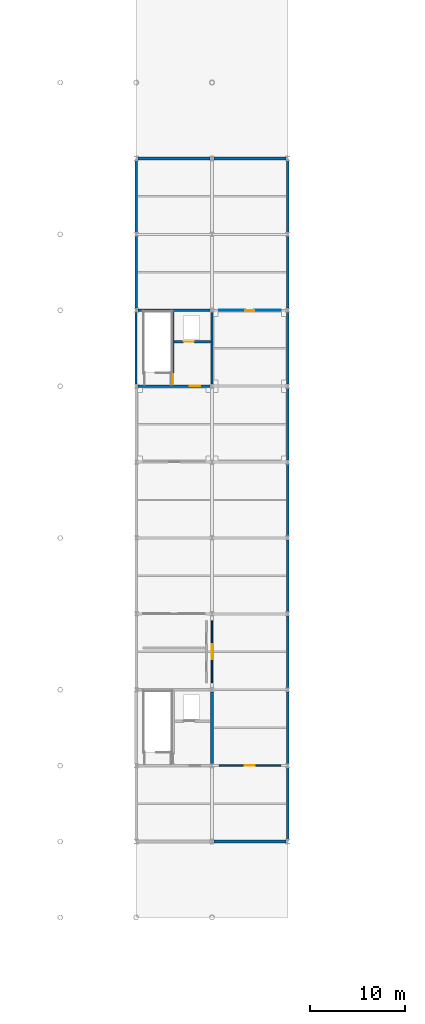
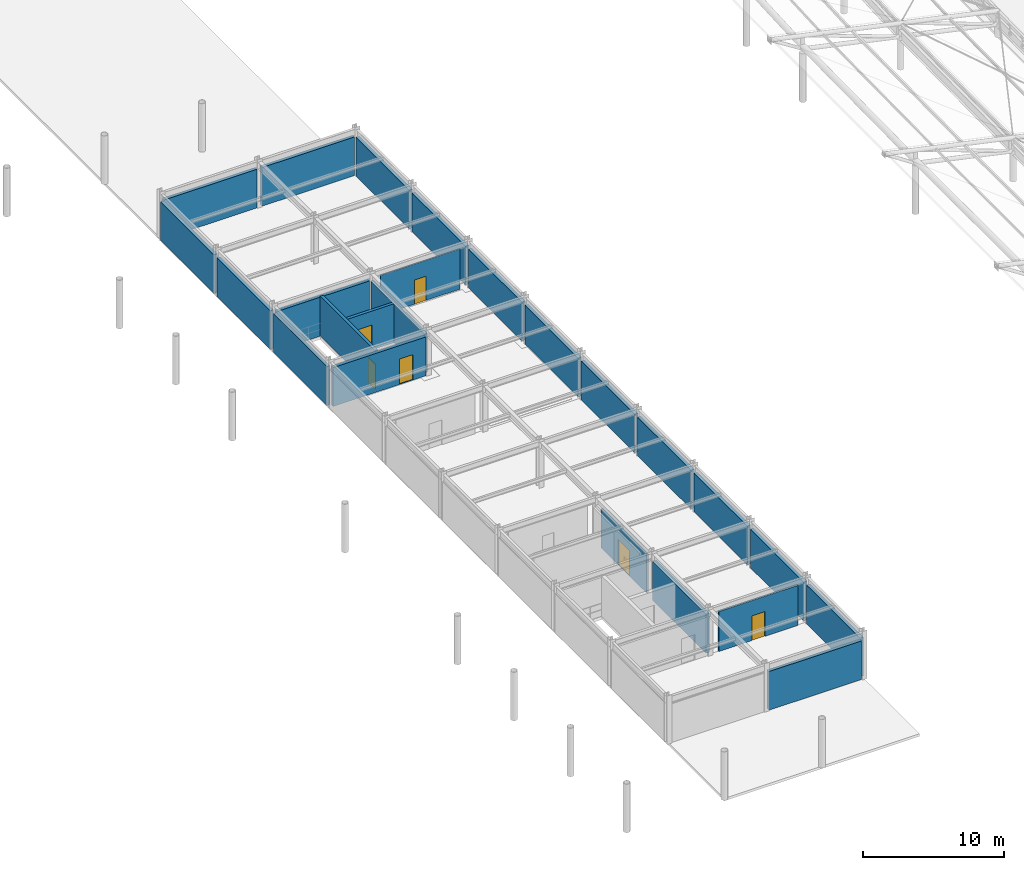
# One storey, part 45 of 54: 24 walls, 6 doors, 6 openings.
"""IFC4 building model written with IfcOpenShell, lengths in metres."""

import ifcopenshell
import ifcopenshell.guid

model = None  # the IFC model being written
_history = None  # IfcOwnerHistory: only IFC2X3 demands one
_inside = {}  # id of a spatial element -> (the spatial element, [elements in it])
_under = {}  # id of a project, library or spatial element -> (it, [spatial elements below it])
_declared = {}  # id of a project -> (the project, [libraries it declares])
_typed = {}  # id of a type object -> (the type object, [elements of that type])
_made_of = {}  # id of a material, layer set ... -> (it, [elements and type objects made of it])


def new_model(schema):
    """Start an empty IFC model of exactly this schema.

    Asked for "IFC4X3", IfcOpenShell would pick the latest addendum, in which some entities
    have other attributes; the version numbers below select the first issue.
    IFC2X3 requires an IfcOwnerHistory on every rooted entity: one is made here for all.
    """
    global model, _history
    if schema == "IFC4X3":
        model = ifcopenshell.file(schema_version=(4, 3, 0, 0))
    else:
        model = ifcopenshell.file(schema=schema)
    _inside.clear()
    _under.clear()
    _declared.clear()
    _typed.clear()
    _made_of.clear()
    _history = None
    if model.schema == "IFC2X3":
        org = make("IfcOrganization", Name="unknown")
        user = make(
            "IfcPersonAndOrganization",
            ThePerson=make("IfcPerson", FamilyName="unknown"),
            TheOrganization=org,
        )
        app = make(
            "IfcApplication",
            ApplicationDeveloper=org,
            Version="unknown",
            ApplicationFullName="unknown",
            ApplicationIdentifier="unknown",
        )
        _history = make(
            "IfcOwnerHistory",
            OwningUser=user,
            OwningApplication=app,
            ChangeAction="ADDED",
            CreationDate=0,
        )
    return model


def make(cls, **values):
    """One entity of the class cls with the attributes given. An attribute that is None is left unset."""
    return model.create_entity(
        cls, **{name: value for name, value in values.items() if value is not None}
    )


def rooted(cls, **values):
    """An entity with a GlobalId (a new one), such as an element, a storey or a relation."""
    return make(cls, GlobalId=ifcopenshell.guid.new(), OwnerHistory=_history, **values)


def si_unit(unit_type, name, prefix=None):
    """IfcSIUnit, for example si_unit("LENGTHUNIT", "METRE", prefix="MILLI")."""
    return make("IfcSIUnit", UnitType=unit_type, Prefix=prefix, Name=name)


def assignment(units):
    """IfcUnitAssignment: the units of a project."""
    return None if units is None else make("IfcUnitAssignment", Units=units)


def point(xyz):
    """IfcCartesianPoint."""
    return None if xyz is None else make("IfcCartesianPoint", Coordinates=xyz)


def direction(xyz):
    """IfcDirection."""
    return None if xyz is None else make("IfcDirection", DirectionRatios=xyz)


def frame(location, z_axis=None, x_axis=None):
    """IfcAxis2Placement3D, a coordinate frame: its origin and axes. An axis left out is left unset."""
    return make(
        "IfcAxis2Placement3D",
        Location=point(location),
        Axis=direction(z_axis),
        RefDirection=direction(x_axis),
    )


def frame_2d(location, x_axis=None):
    """IfcAxis2Placement2D, a coordinate frame in the plane: its origin and x axis."""
    return make(
        "IfcAxis2Placement2D", Location=point(location), RefDirection=direction(x_axis)
    )


def origin():
    """The frame at (0, 0, 0) with its axes left unset."""
    return frame((0.0, 0.0, 0.0))


def place(relative_to, where):
    """IfcLocalPlacement: puts the frame where relative to a parent placement (None: the world)."""
    return make(
        "IfcLocalPlacement", PlacementRelTo=relative_to, RelativePlacement=where
    )


def context(
    kind, dimensions, precision=None, world=None, true_north=None, identifier=None
):
    """IfcGeometricRepresentationContext, for example the 3D "Model" context."""
    return make(
        "IfcGeometricRepresentationContext",
        ContextIdentifier=identifier,
        ContextType=kind,
        CoordinateSpaceDimension=dimensions,
        Precision=precision,
        WorldCoordinateSystem=world,
        TrueNorth=true_north,
    )


def subcontext(parent, identifier, kind, view, scale=None):
    """IfcGeometricRepresentationSubContext, for example "Body" below "Model"."""
    return make(
        "IfcGeometricRepresentationSubContext",
        ContextIdentifier=identifier,
        ContextType=kind,
        ParentContext=parent,
        TargetScale=scale,
        TargetView=view,
    )


def project(units=None, contexts=None):
    """IfcProject with its units and contexts."""
    return rooted(
        "IfcProject",
        Name="project",
        RepresentationContexts=contexts,
        UnitsInContext=assignment(units),
    )


def spatial(cls, under=None, at=None, **own):
    """A site, building, storey or space (cls), placed at a placement, below another one or the project."""
    s = rooted(cls, ObjectPlacement=at, **own)
    if under is not None:
        _under.setdefault(under.id(), (under, []))[1].append(s)
    return s


def profile(cls, at=None, kind="AREA", **sizes):
    """A parametric profile (cls). Its sizes go by their IFC names, for example OverallWidth=200.0."""
    return make(cls, ProfileType=kind, Position=at, **sizes)


def rectangle(**sizes):
    """IfcRectangleProfileDef."""
    return profile("IfcRectangleProfileDef", **sizes)


def extrude(swept, where, along, depth):
    """IfcExtrudedAreaSolid: the profile swept, set in the frame where, extruded along a direction by depth."""
    return make(
        "IfcExtrudedAreaSolid",
        SweptArea=swept,
        Position=where,
        ExtrudedDirection=direction(along),
        Depth=depth,
    )


def shape(context_of_items, identifier, shape_type, items):
    """IfcShapeRepresentation: the items that make up one representation, for example the "Body"."""
    return make(
        "IfcShapeRepresentation",
        ContextOfItems=context_of_items,
        RepresentationIdentifier=identifier,
        RepresentationType=shape_type,
        Items=items,
    )


def material(Name=None, Category=None):
    """IfcMaterial."""
    return make("IfcMaterial", Name=Name, Category=Category)


def layer(
    of_material, thickness, ventilated=None, Name=None, Category=None, Priority=None
):
    """IfcMaterialLayer: one layer of a wall or slab, of a material (None: an air gap)."""
    return make(
        "IfcMaterialLayer",
        Material=of_material,
        LayerThickness=thickness,
        IsVentilated=ventilated,
        Name=Name,
        Category=Category,
        Priority=Priority,
    )


def layer_set(layers, Name=None):
    """IfcMaterialLayerSet."""
    return make("IfcMaterialLayerSet", MaterialLayers=layers, LayerSetName=Name)


def made_of(thing, what):
    """Note that an element or type object is made of a material, layer set ...; save() writes the relation."""
    if what is not None:
        _made_of.setdefault(what.id(), (what, []))[1].append(thing)
    return thing


def type_object(cls, material=None, **own):
    """A type object (cls), such as IfcWallType, which elements share."""
    return made_of(rooted(cls, **own), material)


def element(
    cls,
    number,
    at=None,
    inside=None,
    cuts=None,
    type_object=None,
    material=None,
    context=None,
    identifier="Body",
    shape_type=None,
    held_by="IfcProductDefinitionShape",
    body=None,
    shapes=None,
    **own,
):
    """One element of the class cls, such as IfcWall. Its Tag is "e" and its number.

    at: its placement. inside: the storey or other place that contains it. cuts: it is an
    opening in that element (IfcRelVoidsElement). A single representation is given by context,
    identifier, shape_type and body (its items); several are given by shapes. held_by: the class
    of the entity that holds the representations. save() writes the other relations.
    """
    e = rooted(cls, Tag="e%d" % number, ObjectPlacement=at, **own)
    if body is not None:
        shapes = [shape(context, identifier, shape_type, body)]
    if shapes is not None:
        e.Representation = make(held_by, Representations=shapes)
    if inside is not None:
        _inside.setdefault(inside.id(), (inside, []))[1].append(e)
    if cuts is not None:
        rooted(
            "IfcRelVoidsElement", RelatingBuildingElement=cuts, RelatedOpeningElement=e
        )
    if type_object is not None:
        _typed.setdefault(type_object.id(), (type_object, []))[1].append(e)
    return made_of(e, material)


def fill(opening, filler):
    """IfcRelFillsElement: the door or window that sits in an opening."""
    return rooted(
        "IfcRelFillsElement",
        RelatingOpeningElement=opening,
        RelatedBuildingElement=filler,
    )


def aggregate(whole, parts):
    """IfcRelAggregates: a whole, such as a stair, and the parts it consists of."""
    return rooted("IfcRelAggregates", RelatingObject=whole, RelatedObjects=parts)


def save(model, path):
    """Write the relations noted so far, then the file.

    IfcRelAggregates (storeys below a building ...), IfcRelContainedInSpatialStructure (elements
    in a storey), IfcRelDefinesByType, IfcRelAssociatesMaterial and IfcRelDeclares: one each for
    every whole, place, type object, material and project.
    """
    for whole, parts in _under.values():
        aggregate(whole, parts)
    for where, things in _inside.values():
        rooted(
            "IfcRelContainedInSpatialStructure",
            RelatedElements=things,
            RelatingStructure=where,
        )
    for kind, things in _typed.values():
        rooted("IfcRelDefinesByType", RelatedObjects=things, RelatingType=kind)
    for what, things in _made_of.values():
        rooted("IfcRelAssociatesMaterial", RelatedObjects=things, RelatingMaterial=what)
    for by, libraries in _declared.values():
        rooted("IfcRelDeclares", RelatingContext=by, RelatedDefinitions=libraries)
    model.write(path)


model = new_model("IFC4")

# Units and contexts
model_context = context("Model", 3, precision=1e-05, world=origin(), true_north=direction((0.0, 1.0)))
body_context = subcontext(model_context, "Body", "Model", "MODEL_VIEW")
ifc_project = project(units=[si_unit("LENGTHUNIT", "METRE"), si_unit("AREAUNIT", "SQUARE_METRE"), si_unit("VOLUMEUNIT", "CUBIC_METRE"), si_unit("PLANEANGLEUNIT", "RADIAN"), si_unit("MASSUNIT", "GRAM", prefix="KILO")], contexts=[model_context])

# Site, building, storey
site_placement = place(None, origin())
site = spatial("IfcSite", under=ifc_project, at=site_placement, CompositionType="ELEMENT")
building_placement = place(site_placement, origin())
building = spatial("IfcBuilding", under=site, at=building_placement, Name="Haebicheon Civic Stadium", CompositionType="ELEMENT")
storey_placement = place(building_placement, frame((0.0, 0.0, 22.800048828125)))
storey = spatial("IfcBuildingStorey", under=building, at=storey_placement, Name="L06", CompositionType="ELEMENT", Elevation=22.800048828125)

# Wall, opening, door
ifc_material_1 = material(Name="Concrete C40/50", Category="concrete")
ifc_layer_1 = layer(ifc_material_1, 0.239990234375, Name="Concrete C40/50")
ifc_layer_set_1 = layer_set([ifc_layer_1], Name="Concrete C40/50")
wall_type_1 = type_object("IfcWallType", Name="CW-SHR-240", PredefinedType="SHEAR", material=ifc_layer_set_1)
wall_1_placement = place(storey_placement, frame((144.2041015625, 104.0, 0.0), z_axis=(0.0, 0.0, 1.0), x_axis=(1.0, 0.0, 0.0)))
wall_1 = element("IfcWall", 1, at=wall_1_placement, inside=storey, type_object=wall_type_1, material=ifc_layer_set_1, Name="KC-11 L06 south core shear wall", PredefinedType="SHEAR", context=body_context, shape_type="SweptSolid", body=[
    extrude(rectangle(XDim=7.591796875, YDim=0.239990234375, at=frame_2d((3.7958984375, 0.0))), origin(), (0.0, 0.0, 1.0), 3.369873046875),
])
opening_1_placement = place(wall_1_placement, frame((5.44189453125, 0.0, 0.0)))
opening_1 = element("IfcOpeningElement", 2, at=opening_1_placement, cuts=wall_1, Name="Opening D-L06-KC-11-LOB", PredefinedType="OPENING", context=body_context, shape_type="SweptSolid", body=[
    extrude(rectangle(XDim=1.10009765625, YDim=2.199951171875, at=frame_2d((0.550048828125, 1.10009765625))), frame((0.0, 0.1298828125, 0.0), z_axis=(0.0, -1.0, 0.0), x_axis=(1.0, 0.0, 0.0)), (0.0, 0.0, 1.0), 0.260009765625),
])
ifc_material_2 = material(Name="Galvanised painted steel SM355", Category="steel")
door_type_1 = type_object("IfcDoorType", Name="ID-FD-1100", OperationType="NOTDEFINED", PredefinedType="DOOR", material=ifc_material_2)
door_1_placement = place(opening_1_placement, origin())
door_1 = element("IfcDoor", 3, at=door_1_placement, inside=storey, type_object=door_type_1, material=ifc_material_2, Name="L06 KC-11 lobby fire door", OperationType="SINGLE_SWING_RIGHT", OverallHeight=2.199951171875, OverallWidth=1.10009765625, PredefinedType="DOOR", context=body_context, shape_type="SweptSolid", body=[
    extrude(rectangle(XDim=1.10009765625, YDim=2.199951171875, at=frame_2d((0.550048828125, 1.10009765625))), frame((0.0, 0.02490234375, 0.0), z_axis=(0.0, -1.0, 0.0), x_axis=(1.0, 0.0, 0.0)), (0.0, 0.0, 1.0), 0.050048828125),
])
fill(opening_1, door_1)

# Walls
wall_2_placement = place(storey_placement, frame((144.2041015625, 112.0, 0.0), z_axis=(0.0, 0.0, 1.0), x_axis=(1.0, 0.0, 0.0)))
element("IfcWall", 4, at=wall_2_placement, inside=storey, type_object=wall_type_1, material=ifc_layer_set_1, Name="KC-11 L06 north core shear wall", PredefinedType="SHEAR", context=body_context, shape_type="SweptSolid", body=[
    extrude(rectangle(XDim=7.591796875, YDim=0.239990234375, at=frame_2d((3.7958984375, 0.0))), origin(), (0.0, 0.0, 1.0), 3.369873046875),
])
for number, where, z_axis, x_axis, name in (
    (5, (144.0, 104.214111328125, 0.0), (0.0, 0.0, 1.0), (0.0, 1.0, 0.0), "KC-11 L06 west core shear wall"),
    (6, (152.0, 104.214111328125, 0.0), (0.0, 0.0, 1.0), (0.0, 1.0, 0.0), "KC-11 L06 east core shear wall"),
):
    element("IfcWall", number, at=place(storey_placement, frame(where, z_axis=z_axis, x_axis=x_axis)), inside=storey, type_object=wall_type_1, material=ifc_layer_set_1, Name=name, PredefinedType="SHEAR", context=body_context, shape_type="SweptSolid", body=[
        extrude(rectangle(XDim=7.57177734375, YDim=0.239990234375, at=frame_2d((3.785888671875, 0.0))), origin(), (0.0, 0.0, 1.0), 3.369873046875),
    ])

# Wall, opening, door
wall_3_placement = place(storey_placement, frame((147.8798828125, 104.1201171875, 0.0), z_axis=(0.0, 0.0, 1.0), x_axis=(0.0, 1.0, 0.0)))
wall_3 = element("IfcWall", 7, at=wall_3_placement, inside=storey, type_object=wall_type_1, material=ifc_layer_set_1, Name="KC-11 L06 stair-lobby dividing shear wall", PredefinedType="SHEAR", context=body_context, shape_type="SweptSolid", body=[
    extrude(rectangle(XDim=7.759765625, YDim=0.239990234375, at=frame_2d((3.8798828125, 0.0))), origin(), (0.0, 0.0, 1.0), 3.469970703125),
])
opening_2_placement = place(wall_3_placement, frame((0.080078125, 0.0, 0.0)))
opening_2 = element("IfcOpeningElement", 8, at=opening_2_placement, cuts=wall_3, Name="Opening D-L06-KC-11-STR", PredefinedType="OPENING", context=body_context, shape_type="SweptSolid", body=[
    extrude(rectangle(XDim=1.050048828125, YDim=2.14990234375, at=frame_2d((0.52490234375, 1.074951171875))), frame((0.0, 0.1298828125, 0.0), z_axis=(0.0, -1.0, 0.0), x_axis=(1.0, 0.0, 0.0)), (0.0, 0.0, 1.0), 0.260009765625),
])
ifc_material_3 = material(Name="Galvanised painted steel SM355", Category="steel")
door_type_2 = type_object("IfcDoorType", Name="ID-FD-1050", OperationType="NOTDEFINED", PredefinedType="DOOR", material=ifc_material_3)
door_2_placement = place(opening_2_placement, origin())
door_2 = element("IfcDoor", 9, at=door_2_placement, inside=storey, type_object=door_type_2, material=ifc_material_3, Name="L06 ST-11 stairwell escape door", OperationType="SINGLE_SWING_LEFT", OverallHeight=2.14990234375, OverallWidth=1.050048828125, PredefinedType="DOOR", context=body_context, shape_type="SweptSolid", body=[
    extrude(rectangle(XDim=1.050048828125, YDim=2.14990234375, at=frame_2d((0.52490234375, 1.074951171875))), frame((0.0, 0.02490234375, 0.0), z_axis=(0.0, -1.0, 0.0), x_axis=(1.0, 0.0, 0.0)), (0.0, 0.0, 1.0), 0.050048828125),
])
fill(opening_2, door_2)

wall_4_placement = place(storey_placement, frame((148.0, 108.679931640625, 0.0), z_axis=(0.0, 0.0, 1.0), x_axis=(1.0, 0.0, 0.0)))
wall_4 = element("IfcWall", 10, at=wall_4_placement, inside=storey, type_object=wall_type_1, material=ifc_layer_set_1, Name="KC-11 L06 lift shaft front wall", PredefinedType="SHEAR", context=body_context, shape_type="SweptSolid", body=[
    extrude(rectangle(XDim=3.8798828125, YDim=0.239990234375, at=frame_2d((1.93994140625, 0.0))), origin(), (0.0, 0.0, 1.0), 3.369873046875),
])
opening_3_placement = place(wall_4_placement, frame((1.0, 0.0, 0.0)))
opening_3 = element("IfcOpeningElement", 11, at=opening_3_placement, cuts=wall_4, Name="Opening LD-08-L06", PredefinedType="OPENING", context=body_context, shape_type="SweptSolid", body=[
    extrude(rectangle(XDim=1.10009765625, YDim=2.14990234375, at=frame_2d((0.550048828125, 1.074951171875))), frame((0.0, 0.1298828125, 0.0), z_axis=(0.0, -1.0, 0.0), x_axis=(1.0, 0.0, 0.0)), (0.0, 0.0, 1.0), 0.260009765625),
])
ifc_material_4 = material(Name="Stainless steel 316", Category="steel")
door_type_3 = type_object("IfcDoorType", Name="ID-LD-1100", OperationType="NOTDEFINED", PredefinedType="DOOR", material=ifc_material_4)
door_3_placement = place(opening_3_placement, origin())
door_3 = element("IfcDoor", 12, at=door_3_placement, inside=storey, type_object=door_type_3, material=ifc_material_4, Name="LF-08 lift landing sliding door L06", OperationType="SLIDING_TO_LEFT", OverallHeight=2.14990234375, OverallWidth=1.10009765625, PredefinedType="DOOR", context=body_context, shape_type="SweptSolid", body=[
    extrude(rectangle(XDim=1.10009765625, YDim=2.14990234375, at=frame_2d((0.550048828125, 1.074951171875))), frame((0.0, 0.02490234375, 0.0), z_axis=(0.0, -1.0, 0.0), x_axis=(1.0, 0.0, 0.0)), (0.0, 0.0, 1.0), 0.050048828125),
])
fill(opening_3, door_3)

# Walls
ifc_material_5 = material(Name="Concrete C40/50", Category="concrete")
ifc_layer_2 = layer(ifc_material_5, 0.300048828125, Name="Concrete C40/50")
ifc_layer_set_2 = layer_set([ifc_layer_2], Name="Concrete C40/50")
wall_type_2 = type_object("IfcWallType", Name="CW-SHR-300", PredefinedType="SHEAR", material=ifc_layer_set_2)
wall_5_placement = place(storey_placement, frame((152.0, 64.214111328125, 0.0), z_axis=(0.0, 0.0, 1.0), x_axis=(0.0, 1.0, 0.0)))
element("IfcWall", 13, at=wall_5_placement, inside=storey, type_object=wall_type_2, material=ifc_layer_set_2, Name="KC-10 L06 east core shear wall", PredefinedType="SHEAR", context=body_context, shape_type="SweptSolid", body=[
    extrude(rectangle(XDim=7.57177734375, YDim=0.300048828125, at=frame_2d((3.785888671875, 0.0))), origin(), (0.0, 0.0, 1.0), 3.369873046875),
])
ifc_material_6 = material(Name="Precast concrete C40/50", Category="concrete")
ifc_layer_3 = layer(ifc_material_6, 0.280029296875, Name="Precast concrete C40/50")
ifc_layer_set_3 = layer_set([ifc_layer_3], Name="Precast concrete C40/50")
wall_type_3 = type_object("IfcWallType", Name="EW-BM-280", PredefinedType="SOLIDWALL", material=ifc_layer_set_3)
wall_6_placement = place(storey_placement, frame((144.0, 112.214111328125, 0.0), z_axis=(0.0, 0.0, 1.0), x_axis=(0.0, 1.0, 0.0)))
element("IfcWall", 14, at=wall_6_placement, inside=storey, type_object=wall_type_3, material=ifc_layer_set_3, Name="L06 board-marked concrete facade wall 18-14-W", PredefinedType="SOLIDWALL", context=body_context, shape_type="SweptSolid", body=[
    extrude(rectangle(XDim=7.57177734375, YDim=0.280029296875, at=frame_2d((3.785888671875, 0.0))), origin(), (0.0, 0.0, 1.0), 3.349853515625),
])
wall_7_placement = place(storey_placement, frame((144.2041015625, 128.0, 0.0), z_axis=(0.0, 0.0, 1.0), x_axis=(1.0, 0.0, 0.0)))
element("IfcWall", 15, at=wall_7_placement, inside=storey, type_object=wall_type_3, material=ifc_layer_set_3, Name="L06 board-marked concrete facade wall 18-16-N", PredefinedType="SOLIDWALL", context=body_context, shape_type="SweptSolid", body=[
    extrude(rectangle(XDim=7.591796875, YDim=0.280029296875, at=frame_2d((3.7958984375, 0.0))), origin(), (0.0, 0.0, 1.0), 3.349853515625),
])
wall_8_placement = place(storey_placement, frame((144.0, 120.214111328125, 0.0), z_axis=(0.0, 0.0, 1.0), x_axis=(0.0, 1.0, 0.0)))
element("IfcWall", 16, at=wall_8_placement, inside=storey, type_object=wall_type_3, material=ifc_layer_set_3, Name="L06 board-marked concrete facade wall 18-15-W", PredefinedType="SOLIDWALL", context=body_context, shape_type="SweptSolid", body=[
    extrude(rectangle(XDim=7.57177734375, YDim=0.280029296875, at=frame_2d((3.785888671875, 0.0))), origin(), (0.0, 0.0, 1.0), 3.349853515625),
])
wall_9_placement = place(storey_placement, frame((152.2041015625, 56.0, 0.0), z_axis=(0.0, 0.0, 1.0), x_axis=(1.0, 0.0, 0.0)))
element("IfcWall", 17, at=wall_9_placement, inside=storey, type_object=wall_type_3, material=ifc_layer_set_3, Name="L06 board-marked concrete facade wall 19-07-S", PredefinedType="SOLIDWALL", context=body_context, shape_type="SweptSolid", body=[
    extrude(rectangle(XDim=7.591796875, YDim=0.280029296875, at=frame_2d((3.7958984375, 0.0))), origin(), (0.0, 0.0, 1.0), 3.349853515625),
])
for number, where, z_axis, x_axis, name in (
    (18, (160.0, 56.214111328125, 0.0), (0.0, 0.0, 1.0), (0.0, 1.0, 0.0), "L06 board-marked concrete facade wall 20-07-E"),
    (19, (160.0, 64.214111328125, 0.0), (0.0, 0.0, 1.0), (0.0, 1.0, 0.0), "L06 board-marked concrete facade wall 20-08-E"),
    (20, (160.0, 72.214111328125, 0.0), (0.0, 0.0, 1.0), (0.0, 1.0, 0.0), "L06 board-marked concrete facade wall 20-09-E"),
    (21, (160.0, 80.214111328125, 0.0), (0.0, 0.0, 1.0), (0.0, 1.0, 0.0), "L06 board-marked concrete facade wall 20-10-E"),
    (22, (160.0, 88.214111328125, 0.0), (0.0, 0.0, 1.0), (0.0, 1.0, 0.0), "L06 board-marked concrete facade wall 20-11-E"),
    (23, (160.0, 96.214111328125, 0.0), (0.0, 0.0, 1.0), (0.0, 1.0, 0.0), "L06 board-marked concrete facade wall 20-12-E"),
    (24, (160.0, 104.214111328125, 0.0), (0.0, 0.0, 1.0), (0.0, 1.0, 0.0), "L06 board-marked concrete facade wall 20-13-E"),
    (25, (160.0, 112.214111328125, 0.0), (0.0, 0.0, 1.0), (0.0, 1.0, 0.0), "L06 board-marked concrete facade wall 20-14-E"),
):
    element("IfcWall", number, at=place(storey_placement, frame(where, z_axis=z_axis, x_axis=x_axis)), inside=storey, type_object=wall_type_3, material=ifc_layer_set_3, Name=name, PredefinedType="SOLIDWALL", context=body_context, shape_type="SweptSolid", body=[
        extrude(rectangle(XDim=7.57177734375, YDim=0.280029296875, at=frame_2d((3.785888671875, 0.0))), origin(), (0.0, 0.0, 1.0), 3.349853515625),
    ])
wall_10_placement = place(storey_placement, frame((152.2041015625, 128.0, 0.0), z_axis=(0.0, 0.0, 1.0), x_axis=(1.0, 0.0, 0.0)))
element("IfcWall", 26, at=wall_10_placement, inside=storey, type_object=wall_type_3, material=ifc_layer_set_3, Name="L06 board-marked concrete facade wall 19-16-N", PredefinedType="SOLIDWALL", context=body_context, shape_type="SweptSolid", body=[
    extrude(rectangle(XDim=7.591796875, YDim=0.280029296875, at=frame_2d((3.7958984375, 0.0))), origin(), (0.0, 0.0, 1.0), 3.349853515625),
])
wall_11_placement = place(storey_placement, frame((160.0, 120.214111328125, 0.0), z_axis=(0.0, 0.0, 1.0), x_axis=(0.0, 1.0, 0.0)))
element("IfcWall", 27, at=wall_11_placement, inside=storey, type_object=wall_type_3, material=ifc_layer_set_3, Name="L06 board-marked concrete facade wall 20-15-E", PredefinedType="SOLIDWALL", context=body_context, shape_type="SweptSolid", body=[
    extrude(rectangle(XDim=7.57177734375, YDim=0.280029296875, at=frame_2d((3.785888671875, 0.0))), origin(), (0.0, 0.0, 1.0), 3.349853515625),
])

# Wall, opening, door
ifc_material_7 = material(Name="Anodised aluminium and laminated glass", Category="aluminium")
ifc_layer_4 = layer(ifc_material_7, 0.10009765625, Name="Anodised aluminium and laminated glass")
ifc_layer_set_4 = layer_set([ifc_layer_4], Name="Anodised aluminium and laminated glass")
wall_type_4 = type_object("IfcWallType", Name="IW-PRT-100", PredefinedType="PARTITIONING", material=ifc_layer_set_4)
wall_12_placement = place(storey_placement, frame((152.75, 112.0, 0.0), z_axis=(0.0, 0.0, 1.0), x_axis=(1.0, 0.0, 0.0)))
wall_12 = element("IfcWall", 28, at=wall_12_placement, inside=storey, type_object=wall_type_4, material=ifc_layer_set_4, Name="L06 East Sky-Box Club Lounge partition wall", PredefinedType="PARTITIONING", context=body_context, shape_type="SweptSolid", body=[
    extrude(rectangle(XDim=6.5, YDim=0.10009765625, at=frame_2d((3.25, 0.0))), origin(), (0.0, 0.0, 1.0), 3.469970703125),
])
opening_4_placement = place(wall_12_placement, frame((2.77490234375, 0.0, 0.0)))
opening_4 = element("IfcOpeningElement", 29, at=opening_4_placement, cuts=wall_12, Name="Opening D-L06-465", PredefinedType="OPENING", context=body_context, shape_type="SweptSolid", body=[
    extrude(rectangle(XDim=0.949951171875, YDim=2.10009765625, at=frame_2d((0.47509765625, 1.050048828125))), frame((0.0, 0.06005859375, 0.0), z_axis=(0.0, -1.0, 0.0), x_axis=(1.0, 0.0, 0.0)), (0.0, 0.0, 1.0), 0.1201171875),
])
ifc_material_8 = material(Name="Engineered hardwood timber", Category="wood")
door_type_4 = type_object("IfcDoorType", Name="ID-RM-0950", OperationType="NOTDEFINED", PredefinedType="DOOR", material=ifc_material_8)
door_4_placement = place(opening_4_placement, origin())
door_4 = element("IfcDoor", 30, at=door_4_placement, inside=storey, type_object=door_type_4, material=ifc_material_8, Name="L06 East Sky-Box Club Lounge entrance door D-L06-465", OperationType="SINGLE_SWING_RIGHT", OverallHeight=2.10009765625, OverallWidth=0.949951171875, PredefinedType="DOOR", context=body_context, shape_type="SweptSolid", body=[
    extrude(rectangle(XDim=0.949951171875, YDim=2.10009765625, at=frame_2d((0.47509765625, 1.050048828125))), frame((0.0, 0.02490234375, 0.0), z_axis=(0.0, -1.0, 0.0), x_axis=(1.0, 0.0, 0.0)), (0.0, 0.0, 1.0), 0.050048828125),
])
fill(opening_4, door_4)

ifc_material_9 = material(Name="Gypsum plasterboard on steel studs", Category="gypsum")
ifc_layer_5 = layer(ifc_material_9, 0.14990234375, Name="Gypsum plasterboard on steel studs")
ifc_layer_set_5 = layer_set([ifc_layer_5], Name="Gypsum plasterboard on steel studs")
wall_type_5 = type_object("IfcWallType", Name="IW-PRT-150", PredefinedType="PARTITIONING", material=ifc_layer_set_5)
wall_13_placement = place(storey_placement, frame((152.75, 64.0, 0.0), z_axis=(0.0, 0.0, 1.0), x_axis=(1.0, 0.0, 0.0)))
wall_13 = element("IfcWall", 31, at=wall_13_placement, inside=storey, type_object=wall_type_5, material=ifc_layer_set_5, Name="L06 Sky-Box Hospitality Suite partition wall", PredefinedType="PARTITIONING", context=body_context, shape_type="SweptSolid", body=[
    extrude(rectangle(XDim=6.5, YDim=0.14990234375, at=frame_2d((3.25, 0.0))), origin(), (0.0, 0.0, 1.0), 3.469970703125),
])
opening_5_placement = place(wall_13_placement, frame((2.72509765625, 0.0, 0.0)))
opening_5 = element("IfcOpeningElement", 32, at=opening_5_placement, cuts=wall_13, Name="Opening D-L06-461", PredefinedType="OPENING", context=body_context, shape_type="SweptSolid", body=[
    extrude(rectangle(XDim=1.050048828125, YDim=2.14990234375, at=frame_2d((0.52490234375, 1.074951171875))), frame((0.0, 0.0849609375, 0.0), z_axis=(0.0, -1.0, 0.0), x_axis=(1.0, 0.0, 0.0)), (0.0, 0.0, 1.0), 0.169921875),
])
ifc_material_10 = material(Name="Engineered hardwood timber", Category="wood")
door_type_5 = type_object("IfcDoorType", Name="ID-RM-1050", OperationType="NOTDEFINED", PredefinedType="DOOR", material=ifc_material_10)
door_5_placement = place(opening_5_placement, origin())
door_5 = element("IfcDoor", 33, at=door_5_placement, inside=storey, type_object=door_type_5, material=ifc_material_10, Name="L06 Sky-Box Hospitality Suite entrance door D-L06-461", OperationType="SINGLE_SWING_LEFT", OverallHeight=2.14990234375, OverallWidth=1.050048828125, PredefinedType="DOOR", context=body_context, shape_type="SweptSolid", body=[
    extrude(rectangle(XDim=1.050048828125, YDim=2.14990234375, at=frame_2d((0.52490234375, 1.074951171875))), frame((0.0, 0.02490234375, 0.0), z_axis=(0.0, -1.0, 0.0), x_axis=(1.0, 0.0, 0.0)), (0.0, 0.0, 1.0), 0.050048828125),
])
fill(opening_5, door_5)

wall_14_placement = place(storey_placement, frame((152.0, 72.75, 0.0), z_axis=(0.0, 0.0, 1.0), x_axis=(0.0, 1.0, 0.0)))
wall_14 = element("IfcWall", 34, at=wall_14_placement, inside=storey, type_object=wall_type_5, material=ifc_layer_set_5, Name="L06 East Sky-Box Club Lounge partition wall", PredefinedType="PARTITIONING", context=body_context, shape_type="SweptSolid", body=[
    extrude(rectangle(XDim=6.5, YDim=0.14990234375, at=frame_2d((3.25, 0.0))), origin(), (0.0, 0.0, 1.0), 3.369873046875),
])
opening_6_placement = place(wall_14_placement, frame((2.449951171875, 0.0, 0.0)))
opening_6 = element("IfcOpeningElement", 35, at=opening_6_placement, cuts=wall_14, Name="Opening D-L06-462", PredefinedType="OPENING", context=body_context, shape_type="SweptSolid", body=[
    extrude(rectangle(XDim=1.60009765625, YDim=2.199951171875, at=frame_2d((0.800048828125, 1.10009765625))), frame((0.0, 0.0849609375, 0.0), z_axis=(0.0, -1.0, 0.0), x_axis=(1.0, 0.0, 0.0)), (0.0, 0.0, 1.0), 0.169921875),
])
ifc_material_11 = material(Name="Anodised aluminium and laminated glass", Category="aluminium")
door_type_6 = type_object("IfcDoorType", Name="ID-DBL-1600", OperationType="NOTDEFINED", PredefinedType="DOOR", material=ifc_material_11)
door_6_placement = place(opening_6_placement, origin())
door_6 = element("IfcDoor", 36, at=door_6_placement, inside=storey, type_object=door_type_6, material=ifc_material_11, Name="L06 East Sky-Box Club Lounge entrance door D-L06-462", OperationType="DOUBLE_SWING_LEFT", OverallHeight=2.199951171875, OverallWidth=1.60009765625, PredefinedType="DOOR", context=body_context, shape_type="SweptSolid", body=[
    extrude(rectangle(XDim=1.60009765625, YDim=2.199951171875, at=frame_2d((0.800048828125, 1.10009765625))), frame((0.0, 0.02490234375, 0.0), z_axis=(0.0, -1.0, 0.0), x_axis=(1.0, 0.0, 0.0)), (0.0, 0.0, 1.0), 0.050048828125),
])
fill(opening_6, door_6)

save(model, "model.ifc")
